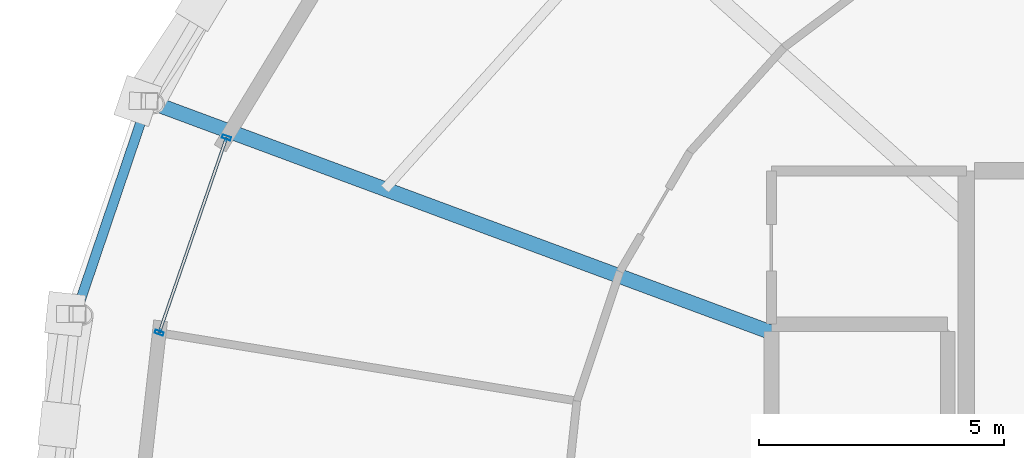
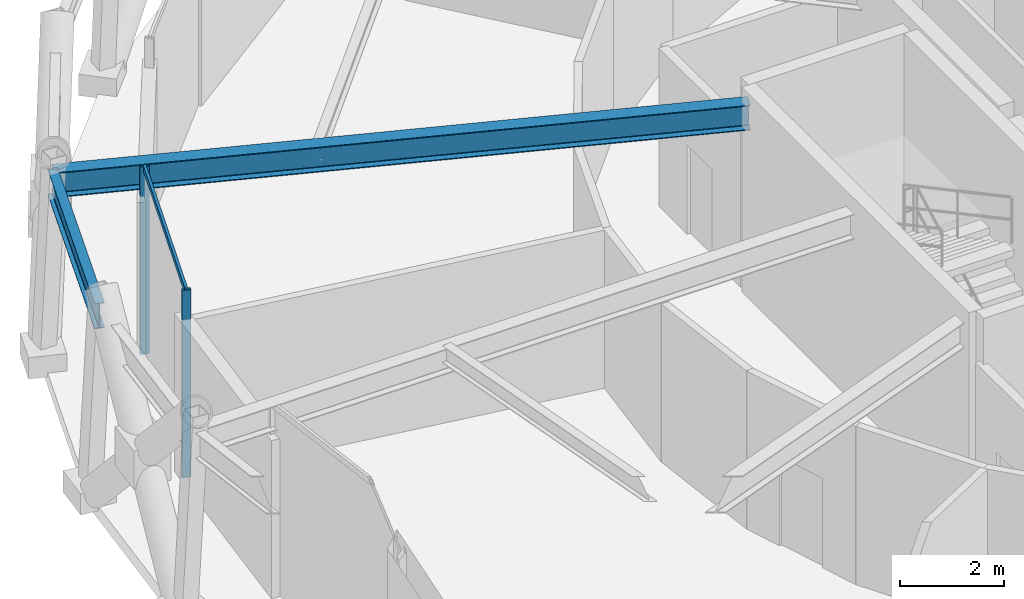
# One storey, part 8 of 29: 3 members, 2 beams, 1 element without a shape of its own.
"""IFC4 building model written with IfcOpenShell, lengths in metres."""

from ifc_helpers import new_model, si_unit, direction, frame, origin, origin_2d, place, context, subcontext, project, spatial, hollow_rectangle, i_section, extrude, material, layer, layer_set, material_profile, profile_set, type_object, element, aggregate, save


model = new_model("IFC4")

# Units and contexts
model_context = context("Model", 3, precision=1e-05, world=origin(), true_north=direction((0.0, 1.0)))
body_context = subcontext(model_context, "Body", "Model", "MODEL_VIEW")
ifc_project = project(units=[si_unit("LENGTHUNIT", "METRE"), si_unit("AREAUNIT", "SQUARE_METRE"), si_unit("VOLUMEUNIT", "CUBIC_METRE"), si_unit("PLANEANGLEUNIT", "RADIAN"), si_unit("MASSUNIT", "GRAM", prefix="KILO")], contexts=[model_context])

# Site, building, storey
site_placement = place(None, origin())
site = spatial("IfcSite", under=ifc_project, at=site_placement, CompositionType="ELEMENT")
building_placement = place(site_placement, origin())
building = spatial("IfcBuilding", under=site, at=building_placement, Name="Veldorina Hangang Commons", CompositionType="ELEMENT")
storey_placement = place(building_placement, frame((0.0, 0.0, 203.60009765625)))
storey = spatial("IfcBuildingStorey", under=building, at=storey_placement, Name="L53", CompositionType="ELEMENT", Elevation=203.60009765625)

# Beams
ifc_material_1 = material(Name="Steel SM460-TMC", Category="steel")
ifc_material_profile_1 = material_profile(ifc_material_1, i_section(OverallWidth=0.300048828125, OverallDepth=0.587890625, WebThickness=0.011962890625, FlangeThickness=0.02001953125, FilletRadius=0.01806640625, at=origin_2d()), Name="H-588x300x12x20")
ifc_profile_set_1 = profile_set([ifc_material_profile_1], Name="Steel SM460-TMC")
beam_type_1 = type_object("IfcBeamType", Name="BM-FG588", PredefinedType="BEAM", material=ifc_profile_set_1)
beam_1_placement = place(storey_placement, frame((20.820068359375, 28.1494140625, 4.14599609375), z_axis=(-0.937515253418, 0.347944175994, 0.0), x_axis=(-0.347944175994, -0.937515253418, 0.0)))
element("IfcBeam", 1, at=beam_1_placement, inside=storey, type_object=beam_type_1, Name="L53 radial floor girder 08", PredefinedType="BEAM", context=body_context, shape_type="SweptSolid", body=[
    extrude(i_section(OverallWidth=0.300048828125, OverallDepth=0.587890625, WebThickness=0.011962890625, FlangeThickness=0.02001953125, FilletRadius=0.01806640625, at=origin_2d()), origin(), (0.0, 0.0, 1.0), 13.582763671875),
])
ifc_material_2 = material(Name="Steel SM420-TMC", Category="steel")
ifc_material_profile_2 = material_profile(ifc_material_2, i_section(OverallWidth=0.199951171875, OverallDepth=0.60009765625, WebThickness=0.010986328125, FlangeThickness=0.01708984375, FilletRadius=0.01806640625, at=origin_2d()), Name="H-600x200x11x17")
ifc_profile_set_2 = profile_set([ifc_material_profile_2], Name="Steel SM420-TMC")
beam_type_2 = type_object("IfcBeamType", Name="BM-RB600", PredefinedType="BEAM", material=ifc_profile_set_2)
beam_2_placement = place(storey_placement, frame((8.0859375, 32.87548828125, 4.139892578125), z_axis=(-0.320704751369, -0.947179213481, 0.0), x_axis=(0.947179213481, -0.320704751369, 0.0)))
element("IfcBeam", 2, at=beam_2_placement, inside=storey, type_object=beam_type_2, Name="L53 perimeter hoop ring beam 14", PredefinedType="BEAM", context=body_context, shape_type="SweptSolid", body=[
    extrude(i_section(OverallWidth=0.199951171875, OverallDepth=0.60009765625, WebThickness=0.010986328125, FlangeThickness=0.01708984375, FilletRadius=0.01806640625, at=origin_2d()), origin(), (0.0, 0.0, 1.0), 4.593505859375),
])

# Curtain wall, members
ifc_material_3 = material(Name="Glass Acoustic Laminated", Category="glass")
ifc_layer = layer(ifc_material_3, 0.179931640625)
ifc_layer_set = layer_set([ifc_layer], Name="Glass Acoustic Laminated")
curtain_wall_type = type_object("IfcCurtainWallType", Name="CW-SYS-SKY", PredefinedType="NOTDEFINED", material=ifc_layer_set)
curtain_wall_placement = place(storey_placement, origin())
curtain_wall = element("IfcCurtainWall", 3, at=curtain_wall_placement, inside=storey, type_object=curtain_wall_type, Name="L53 unitised curtain wall CW-L53-R6", PredefinedType="NOTDEFINED")
ifc_material_4 = material(Name="Aluminium Anodized AA6063-T6", Category="aluminium")
ifc_material_profile_3 = material_profile(ifc_material_4, hollow_rectangle(XDim=0.070068359375, YDim=0.179931640625, WallThickness=0.00390625, at=origin_2d()), Name="ALU-RHS-180x70x4")
ifc_profile_set_3 = profile_set([ifc_material_profile_3], Name="Aluminium Anodized AA6063-T6")
member_type_1 = type_object("IfcMemberType", Name="CW-MUL-180", PredefinedType="MULLION", material=ifc_profile_set_3)
member_1_placement = place(storey_placement, frame((9.69189453125, 32.12939453125, 0.0), z_axis=(0.0, 0.0, 1.0), x_axis=(-0.325964183778, -0.945382118983, 0.0)))
member_1 = element("IfcMember", 4, at=member_1_placement, type_object=member_type_1, Name="CW-L53-R6 vertical mullion 1", PredefinedType="MULLION", context=body_context, shape_type="SweptSolid", body=[
    extrude(hollow_rectangle(XDim=0.070068359375, YDim=0.179931640625, WallThickness=0.00390625, at=origin_2d()), origin(), (0.0, 0.0, 1.0), 4.39990234375),
])
member_2_placement = place(storey_placement, frame((8.31787109375, 28.144287109375, 0.0), z_axis=(0.0, 0.0, 1.0), x_axis=(0.325964183778, 0.945382118983, 0.0)))
member_2 = element("IfcMember", 5, at=member_2_placement, type_object=member_type_1, Name="CW-L53-R6 vertical mullion 2", PredefinedType="MULLION", context=body_context, shape_type="SweptSolid", body=[
    extrude(hollow_rectangle(XDim=0.070068359375, YDim=0.179931640625, WallThickness=0.00390625, at=origin_2d()), origin(), (0.0, 0.0, 1.0), 4.39990234375),
])
ifc_material_profile_4 = material_profile(ifc_material_4, hollow_rectangle(XDim=0.06005859375, YDim=0.139892578125, WallThickness=0.00341796875, at=origin_2d()), Name="ALU-RHS-140x60x3.5")
ifc_profile_set_4 = profile_set([ifc_material_profile_4], Name="Aluminium Anodized AA6063-T6")
member_type_2 = type_object("IfcMemberType", Name="CW-TRN-140", PredefinedType="USERDEFINED", material=ifc_profile_set_4)
member_3_placement = place(storey_placement, frame((9.69189453125, 32.12939453125, 4.35986328125), z_axis=(-0.325958554726, -0.945384059841, 0.0), x_axis=(0.945384059841, -0.325958554726, 0.0)))
member_3 = element("IfcMember", 6, at=member_3_placement, type_object=member_type_2, Name="CW-L53-R6 facet 1 transom 1", ObjectType="TRANSOM", PredefinedType="USERDEFINED", context=body_context, shape_type="SweptSolid", body=[
    extrude(hollow_rectangle(XDim=0.06005859375, YDim=0.139892578125, WallThickness=0.00341796875, at=origin_2d()), origin(), (0.0, 0.0, 1.0), 4.21533203125),
])
aggregate(curtain_wall, [member_1, member_2, member_3])

save(model, "model.ifc")
